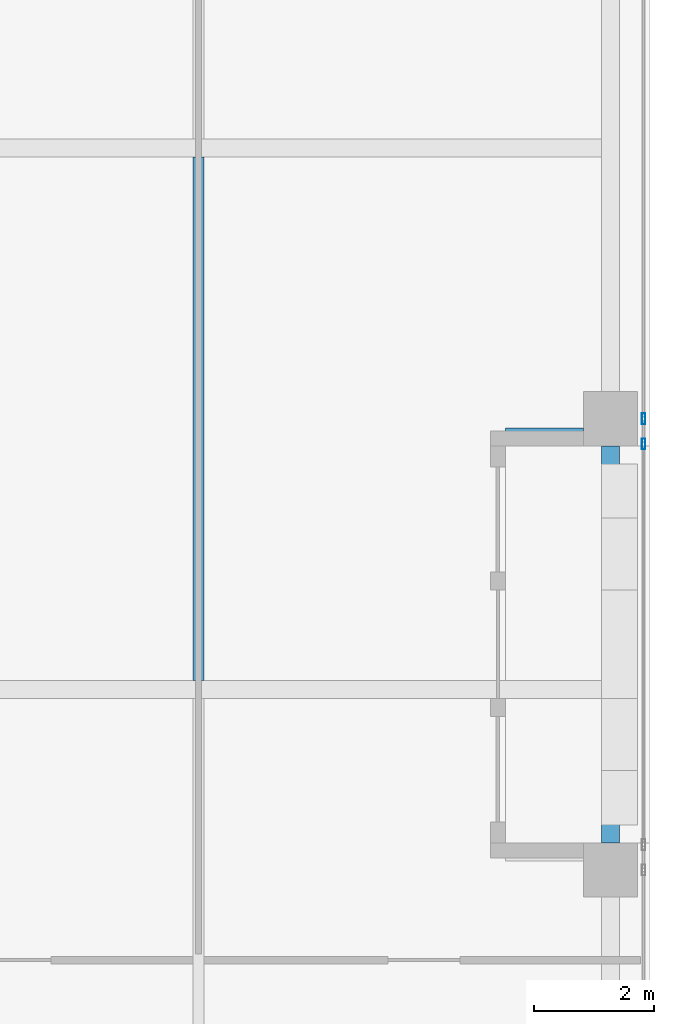
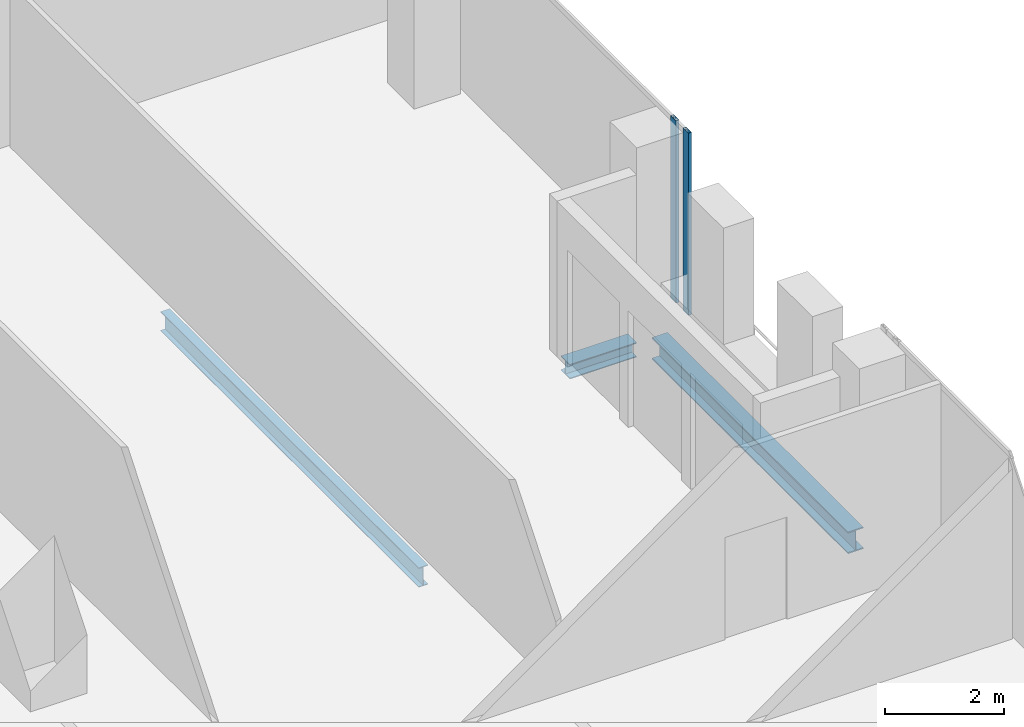
# One storey, part 13 of 35: 3 beams, 2 members, 1 element without a shape of its own.
"""IFC4 building model written with IfcOpenShell, lengths in metres."""

from ifc_helpers import new_model, si_unit, direction, frame, origin, origin_2d, place, context, subcontext, project, spatial, hollow_rectangle, i_section, extrude, source, transform, mapped, material, material_profile, profile_set, type_object, element, aggregate, save


model = new_model("IFC4")

# Units and contexts
model_context = context("Model", 3, precision=1e-05, world=origin(), true_north=direction((0.0, 1.0)))
body_context = subcontext(model_context, "Body", "Model", "MODEL_VIEW")
ifc_project = project(units=[si_unit("LENGTHUNIT", "METRE"), si_unit("AREAUNIT", "SQUARE_METRE"), si_unit("VOLUMEUNIT", "CUBIC_METRE"), si_unit("PLANEANGLEUNIT", "RADIAN"), si_unit("MASSUNIT", "GRAM", prefix="KILO")], contexts=[model_context])

# Site, building, storey
site_placement = place(None, origin())
site = spatial("IfcSite", under=ifc_project, at=site_placement, CompositionType="ELEMENT")
building_placement = place(site_placement, origin())
building = spatial("IfcBuilding", under=site, at=building_placement, Name="Khomas Fold Tower", CompositionType="ELEMENT")
storey_placement = place(building_placement, frame((0.0, 0.0, 262.199951171875)))
storey = spatial("IfcBuildingStorey", under=building, at=storey_placement, Name="L59", CompositionType="ELEMENT", Elevation=262.199951171875)

# Beams
ifc_material_1 = material(Name="Steel S355", Category="steel")
ifc_material_profile_1 = material_profile(ifc_material_1, i_section(OverallWidth=0.179931640625, OverallDepth=0.39990234375, WebThickness=0.008544921875, FlangeThickness=0.013427734375, at=origin_2d()), Name="IPE 400")
ifc_profile_set_1 = profile_set([ifc_material_profile_1], Name="Steel S355")
beam_type_1 = type_object("IfcBeamType", Name="IPE 400 beam JB3", PredefinedType="BEAM", material=ifc_profile_set_1)
shared_shape_1 = source(origin(), body_context, "Body", "SweptSolid", [
    extrude(i_section(OverallWidth=0.179931640625, OverallDepth=0.39990234375, WebThickness=0.008544921875, FlangeThickness=0.013427734375, at=origin_2d()), origin(), (0.0, 0.0, 1.0), 8.7001953125),
])
beam_1_placement = place(storey_placement, frame((42.0, 22.64990234375, -0.449951171875), z_axis=(0.0, 1.0, 0.0), x_axis=(-1.0, 0.0, 0.0)))
element("IfcBeam", 1, at=beam_1_placement, inside=storey, type_object=beam_type_1, Name="JB3", PredefinedType="BEAM", context=body_context, shape_type="MappedRepresentation", body=[
    mapped(shared_shape_1, transform((0.0, 0.0, 0.0))),
])
ifc_material_2 = material(Name="Steel S355", Category="steel")
ifc_material_profile_2 = material_profile(ifc_material_2, i_section(OverallWidth=0.300048828125, OverallDepth=0.449951171875, WebThickness=0.013916015625, FlangeThickness=0.02587890625, at=origin_2d()), Name="HE 450 B")
ifc_profile_set_2 = profile_set([ifc_material_profile_2], Name="Steel S355")
beam_type_2 = type_object("IfcBeamType", Name="HE 450 B spandrel SB4", PredefinedType="SPANDREL", material=ifc_profile_set_2)
shared_shape_2 = source(origin(), body_context, "Body", "SweptSolid", [
    extrude(i_section(OverallWidth=0.300048828125, OverallDepth=0.449951171875, WebThickness=0.013916015625, FlangeThickness=0.02587890625, at=origin_2d()), origin(), (0.0, 0.0, 1.0), 6.60009765625),
])
beam_2_placement = place(storey_placement, frame((48.85009765625, 19.949951171875, -0.474853515625), z_axis=(0.0, 1.0, 0.0), x_axis=(-1.0, 0.0, 0.0)))
element("IfcBeam", 2, at=beam_2_placement, inside=storey, type_object=beam_type_2, Name="SB4", PredefinedType="SPANDREL", context=body_context, shape_type="MappedRepresentation", body=[
    mapped(shared_shape_2, transform((0.0, 0.0, 0.0))),
])
ifc_material_3 = material(Name="Steel S355", Category="steel")
ifc_material_profile_3 = material_profile(ifc_material_3, i_section(OverallWidth=0.300048828125, OverallDepth=0.300048828125, WebThickness=0.010986328125, FlangeThickness=0.01904296875, at=origin_2d()), Name="HE 300 B")
ifc_profile_set_3 = profile_set([ifc_material_profile_3], Name="Steel S355")
beam_type_3 = type_object("IfcBeamType", Name="HE 300 B beam BB1", PredefinedType="BEAM", material=ifc_profile_set_3)
shared_shape_3 = source(origin(), body_context, "Body", "SweptSolid", [
    extrude(i_section(OverallWidth=0.300048828125, OverallDepth=0.300048828125, WebThickness=0.010986328125, FlangeThickness=0.01904296875, at=origin_2d()), origin(), (0.0, 0.0, 1.0), 1.2998046875),
])
beam_3_placement = place(storey_placement, frame((47.10009765625, 26.699951171875, -0.39990234375), z_axis=(1.0, 0.0, 0.0), x_axis=(0.0, 1.0, 0.0)))
element("IfcBeam", 3, at=beam_3_placement, inside=storey, type_object=beam_type_3, Name="BB1", PredefinedType="BEAM", context=body_context, shape_type="MappedRepresentation", body=[
    mapped(shared_shape_3, transform((0.0, 0.0, 0.0))),
])

# Curtain wall, members
ifc_material_4 = material(Name="Aluminium framed double glazing", Category="aluminium")
curtain_wall_type = type_object("IfcCurtainWallType", Name="SK-Unitised clear-glass wall, office floors CW2", PredefinedType="NOTDEFINED", material=ifc_material_4)
curtain_wall_placement = place(storey_placement, origin())
curtain_wall = element("IfcCurtainWall", 4, at=curtain_wall_placement, inside=storey, type_object=curtain_wall_type, Name="CW2 run L59 03-1", PredefinedType="NOTDEFINED")
ifc_material_5 = material(Name="Aluminium", Category="aluminium")
ifc_material_profile_4 = material_profile(ifc_material_5, hollow_rectangle(XDim=0.06005859375, YDim=0.179931640625, WallThickness=0.00390625, at=origin_2d()), Name="SK-Unitised clear-glass wall, office floors mullion CW2-M")
ifc_profile_set_4 = profile_set([ifc_material_profile_4], Name="Aluminium")
member_type = type_object("IfcMemberType", Name="SK-Unitised clear-glass wall, office floors mullion CW2-M", PredefinedType="MULLION", material=ifc_profile_set_4)
shared_shape_4 = source(origin(), body_context, "Body", "SweptSolid", [
    extrude(hollow_rectangle(XDim=0.06005859375, YDim=0.179931640625, WallThickness=0.00390625, at=origin_2d()), origin(), (0.0, 0.0, 1.0), 3.75),
])
member_1_placement = place(storey_placement, frame((49.39990234375, 26.580078125, 0.0), z_axis=(0.0, 0.0, 1.0), x_axis=(-1.0, 0.0, 0.0)))
member_1 = element("IfcMember", 5, at=member_1_placement, type_object=member_type, Name="CW2 mullion 1", PredefinedType="MULLION", context=body_context, shape_type="MappedRepresentation", body=[
    mapped(shared_shape_4, transform((0.0, 0.0, 0.0))),
])
member_2_placement = place(storey_placement, frame((49.39990234375, 27.0, 0.0), z_axis=(0.0, 0.0, 1.0), x_axis=(-1.0, 0.0, 0.0)))
member_2 = element("IfcMember", 6, at=member_2_placement, type_object=member_type, Name="CW2 mullion 2", PredefinedType="MULLION", context=body_context, shape_type="MappedRepresentation", body=[
    mapped(shared_shape_4, transform((0.0, 0.0, 0.0))),
])
aggregate(curtain_wall, [member_1, member_2])

save(model, "model.ifc")
